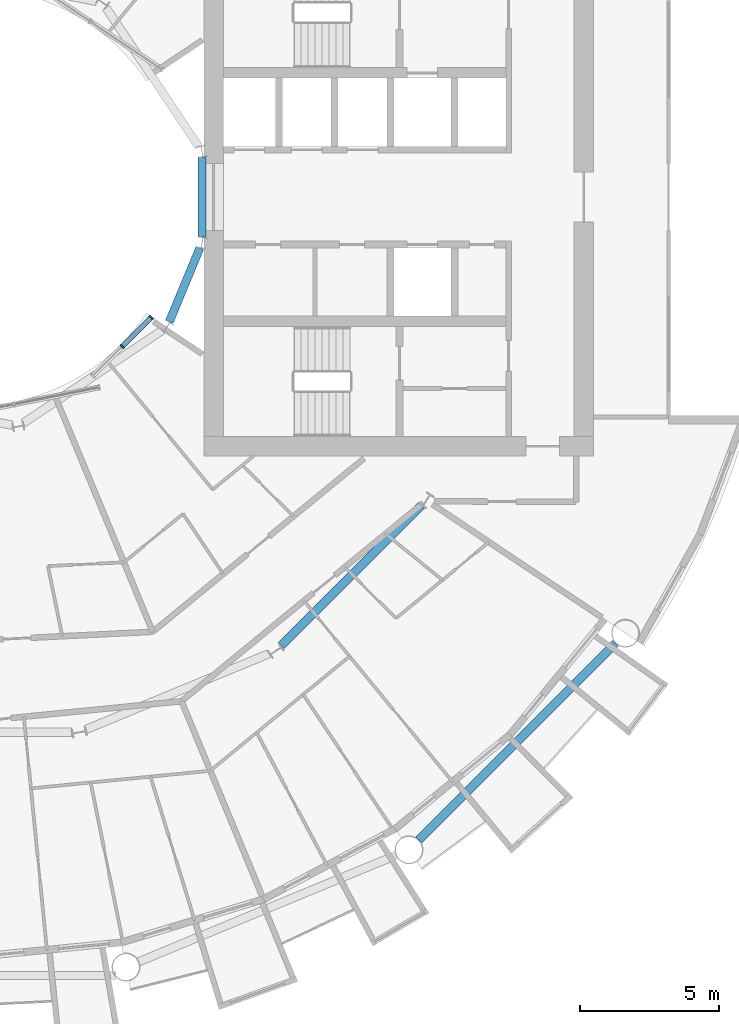
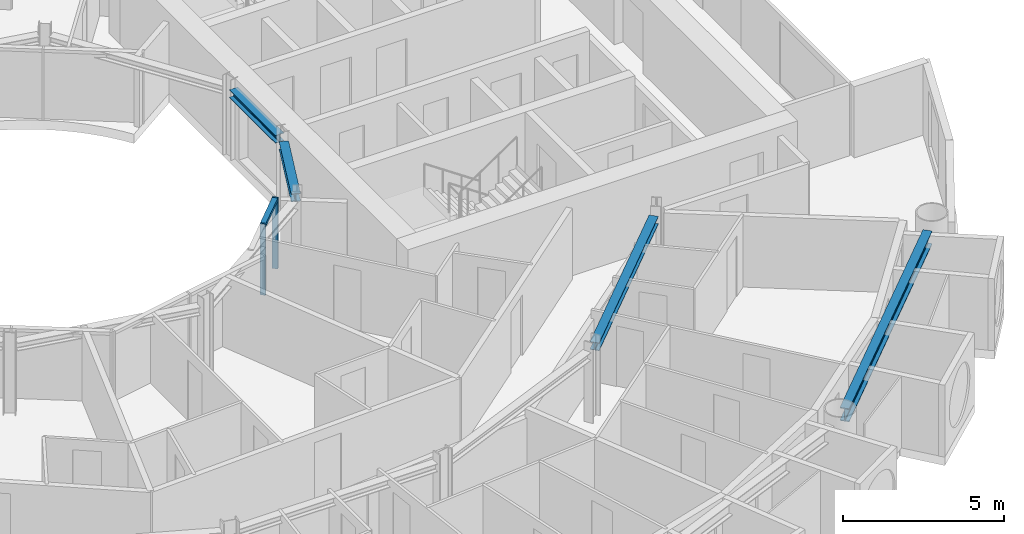
# One storey, part 6 of 26: 4 beams, 3 members, 1 element without a shape of its own.
"""IFC4 building model written with IfcOpenShell, lengths in metres."""

from ifc_helpers import new_model, si_unit, direction, frame, origin, origin_2d, place, context, subcontext, project, spatial, rectangle, i_section, extrude, material, layer, layer_set, material_profile, profile_set, type_object, element, aggregate, save


model = new_model("IFC4")

# Units and contexts
model_context = context("Model", 3, precision=1e-05, world=origin(), true_north=direction((0.0, 1.0)))
body_context = subcontext(model_context, "Body", "Model", "MODEL_VIEW")
ifc_project = project(units=[si_unit("LENGTHUNIT", "METRE"), si_unit("AREAUNIT", "SQUARE_METRE"), si_unit("VOLUMEUNIT", "CUBIC_METRE"), si_unit("PLANEANGLEUNIT", "RADIAN"), si_unit("MASSUNIT", "GRAM", prefix="KILO")], contexts=[model_context])

# Site, building, storey
site_placement = place(None, origin())
site = spatial("IfcSite", under=ifc_project, at=site_placement, CompositionType="ELEMENT")
building_placement = place(site_placement, origin())
building = spatial("IfcBuilding", under=site, at=building_placement, Name="Maasbend Ring Residences", CompositionType="ELEMENT")
storey_placement = place(building_placement, frame((0.0, 0.0, 63.60009765625)))
storey = spatial("IfcBuildingStorey", under=building, at=storey_placement, Name="L17", CompositionType="ELEMENT", Elevation=63.60009765625)

# Curtain wall, members
ifc_material_1 = material(Name="Aluminium and clear glass", Category="aluminium")
ifc_layer = layer(ifc_material_1, 0.179931640625)
ifc_layer_set = layer_set([ifc_layer], Name="CW-W")
curtain_wall_type = type_object("IfcCurtainWallType", Name="CW-W", PredefinedType="NOTDEFINED", material=ifc_layer_set)
curtain_wall_placement = place(storey_placement, origin())
curtain_wall = element("IfcCurtainWall", 1, at=curtain_wall_placement, inside=storey, type_object=curtain_wall_type, Name="Well curtain wall S3", PredefinedType="NOTDEFINED")
ifc_material_2 = material(Name="Aluminium 6063-T6", Category="aluminium")
ifc_material_profile_1 = material_profile(ifc_material_2, rectangle(XDim=0.179931640625, YDim=0.06005859375, at=origin_2d()), Name="AL 180x60")
ifc_profile_set_1 = profile_set([ifc_material_profile_1], Name="Aluminium 6063-T6")
member_type_1 = type_object("IfcMemberType", Name="CWM-W", PredefinedType="MULLION", material=ifc_profile_set_1)
member_1_placement = place(storey_placement, frame((5.366943359375, -5.366943359375, 0.0), z_axis=(0.0, 0.0, 1.0), x_axis=(-0.707106781187, 0.707106781187, 0.0)))
member_1 = element("IfcMember", 2, at=member_1_placement, type_object=member_type_1, Name="Mullion well face", PredefinedType="MULLION", context=body_context, shape_type="SweptSolid", body=[
    extrude(rectangle(XDim=0.179931640625, YDim=0.06005859375, at=origin_2d()), origin(), (0.0, 0.0, 1.0), 2.699951171875),
])
member_2_placement = place(storey_placement, frame((6.413330078125, -4.320556640625, 0.0), z_axis=(0.0, 0.0, 1.0), x_axis=(-0.707106781187, 0.707106781187, 0.0)))
member_2 = element("IfcMember", 3, at=member_2_placement, type_object=member_type_1, Name="Mullion well face", PredefinedType="MULLION", context=body_context, shape_type="SweptSolid", body=[
    extrude(rectangle(XDim=0.179931640625, YDim=0.06005859375, at=origin_2d()), origin(), (0.0, 0.0, 1.0), 2.699951171875),
])
ifc_material_3 = material(Name="Aluminium 6063-T6", Category="aluminium")
ifc_material_profile_2 = material_profile(ifc_material_3, rectangle(XDim=0.179931640625, YDim=0.1201171875, at=origin_2d()), Name="AL 180x120")
ifc_profile_set_2 = profile_set([ifc_material_profile_2], Name="Aluminium 6063-T6")
member_type_2 = type_object("IfcMemberType", Name="CWT-W", PredefinedType="USERDEFINED", material=ifc_profile_set_2)
member_3_placement = place(storey_placement, frame((5.38818359375, -5.345703125, 2.639892578125), z_axis=(0.707106781187, 0.707106781187, 0.0), x_axis=(-0.707106781187, 0.707106781187, 0.0)))
member_3 = element("IfcMember", 4, at=member_3_placement, type_object=member_type_2, Name="Transom well face", ObjectType="TRANSOM", PredefinedType="USERDEFINED", context=body_context, shape_type="SweptSolid", body=[
    extrude(rectangle(XDim=0.179931640625, YDim=0.1201171875, at=origin_2d()), origin(), (0.0, 0.0, 1.0), 1.419677734375),
])
aggregate(curtain_wall, [member_1, member_2, member_3])

# Beams
ifc_material_4 = material(Name="Steel S355J2", Category="steel")
ifc_material_profile_3 = material_profile(ifc_material_4, i_section(OverallWidth=0.300048828125, OverallDepth=0.300048828125, WebThickness=0.010986328125, FlangeThickness=0.01904296875, FilletRadius=0.027099609375, at=origin_2d()), Name="HEB 300")
ifc_profile_set_3 = profile_set([ifc_material_profile_3], Name="Steel S355J2")
beam_type_1 = type_object("IfcBeamType", Name="Corridor ring beam HEB 300", PredefinedType="BEAM", material=ifc_profile_set_3)
beam_1_placement = place(storey_placement, frame((11.078125, -16.10791015625, 2.5498046875), z_axis=(0.707106781187, 0.707106781187, 0.0), x_axis=(-0.707106781187, 0.707106781187, 0.0)))
element("IfcBeam", 5, at=beam_1_placement, inside=storey, type_object=beam_type_1, Name="Corridor ring beam", PredefinedType="BEAM", context=body_context, shape_type="SweptSolid", body=[
    extrude(i_section(OverallWidth=0.300048828125, OverallDepth=0.300048828125, WebThickness=0.010986328125, FlangeThickness=0.01904296875, FilletRadius=0.027099609375, at=origin_2d()), origin(), (0.0, 0.0, 1.0), 7.11328125),
])
ifc_material_5 = material(Name="Steel S355J2", Category="steel")
ifc_material_profile_4 = material_profile(ifc_material_5, i_section(OverallWidth=0.300048828125, OverallDepth=0.5, WebThickness=0.014404296875, FlangeThickness=0.028076171875, FilletRadius=0.027099609375, at=origin_2d()), Name="HEB 500")
ifc_profile_set_4 = profile_set([ifc_material_profile_4], Name="Steel S355J2")
beam_type_2 = type_object("IfcBeamType", Name="Spandrel ring beam HEB 500", PredefinedType="SPANDREL", material=ifc_profile_set_4)
beam_2_placement = place(storey_placement, frame((16.0263671875, -23.088134765625, 2.449951171875), z_axis=(0.707106781187, 0.707106781187, 0.0), x_axis=(-0.707106781187, 0.707106781187, 0.0)))
element("IfcBeam", 6, at=beam_2_placement, inside=storey, type_object=beam_type_2, Name="Spandrel ring beam", PredefinedType="SPANDREL", context=body_context, shape_type="SweptSolid", body=[
    extrude(i_section(OverallWidth=0.300048828125, OverallDepth=0.5, WebThickness=0.014404296875, FlangeThickness=0.028076171875, FilletRadius=0.027099609375, at=origin_2d()), origin(), (0.0, 0.0, 1.0), 9.98681640625),
])
ifc_material_6 = material(Name="Steel S355J2", Category="steel")
ifc_material_profile_5 = material_profile(ifc_material_6, i_section(OverallWidth=0.300048828125, OverallDepth=0.300048828125, WebThickness=0.010986328125, FlangeThickness=0.01904296875, FilletRadius=0.027099609375, at=origin_2d()), Name="HEB 300")
ifc_profile_set_5 = profile_set([ifc_material_profile_5], Name="Steel S355J2")
beam_type_3 = type_object("IfcBeamType", Name="Well edge beam HEB 300", PredefinedType="BEAM", material=ifc_profile_set_5)
beam_3_placement = place(storey_placement, frame((7.062255859375, -4.478515625, 2.5498046875), z_axis=(0.382729955172, 0.923860260761, 0.0), x_axis=(-0.923860260761, 0.382729955172, 0.0)))
element("IfcBeam", 7, at=beam_3_placement, inside=storey, type_object=beam_type_3, Name="Well edge beam", PredefinedType="BEAM", context=body_context, shape_type="SweptSolid", body=[
    extrude(i_section(OverallWidth=0.300048828125, OverallDepth=0.300048828125, WebThickness=0.010986328125, FlangeThickness=0.01904296875, FilletRadius=0.027099609375, at=origin_2d()), origin(), (0.0, 0.0, 1.0), 2.869873046875),
])
beam_4_placement = place(storey_placement, frame((8.238525390625, -1.434814453125, 2.5498046875), z_axis=(0.0, 1.0, 0.0), x_axis=(-1.0, 0.0, 0.0)))
element("IfcBeam", 8, at=beam_4_placement, inside=storey, type_object=beam_type_3, Name="Well edge beam", PredefinedType="BEAM", context=body_context, shape_type="SweptSolid", body=[
    extrude(i_section(OverallWidth=0.300048828125, OverallDepth=0.300048828125, WebThickness=0.010986328125, FlangeThickness=0.01904296875, FilletRadius=0.027099609375, at=origin_2d()), origin(), (0.0, 0.0, 1.0), 2.86962890625),
])

save(model, "model.ifc")
